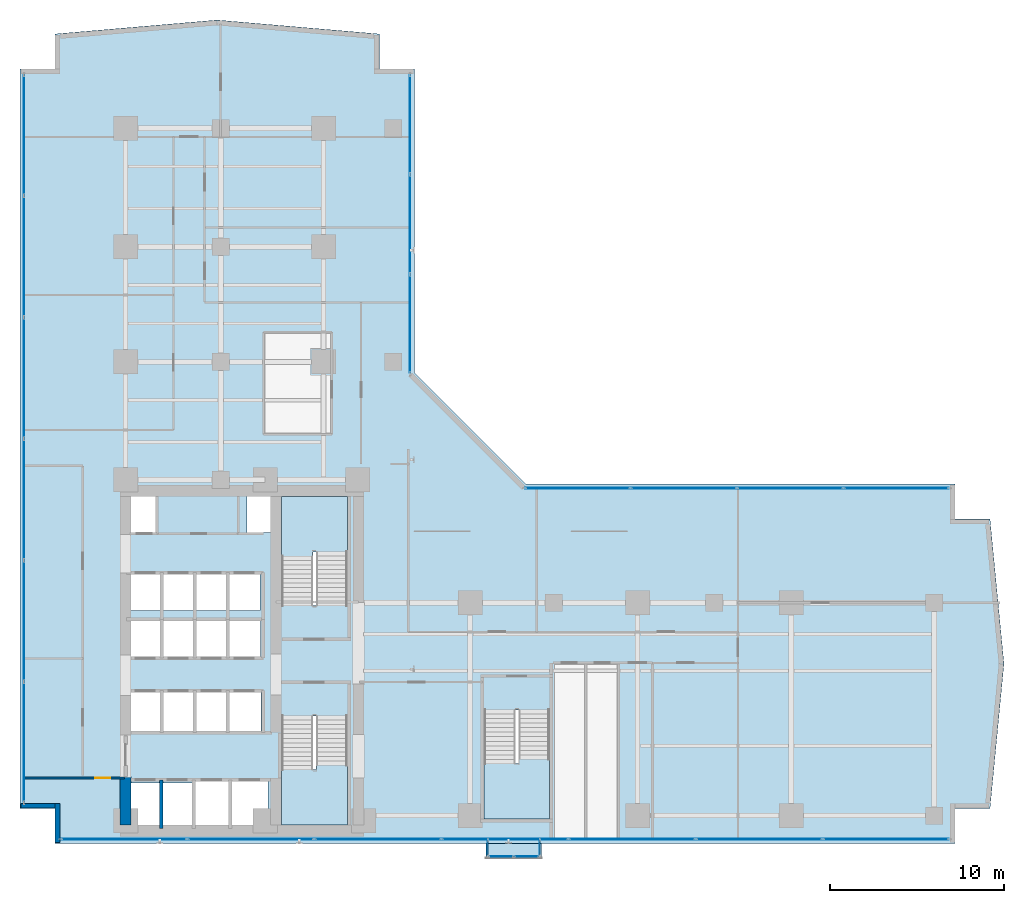
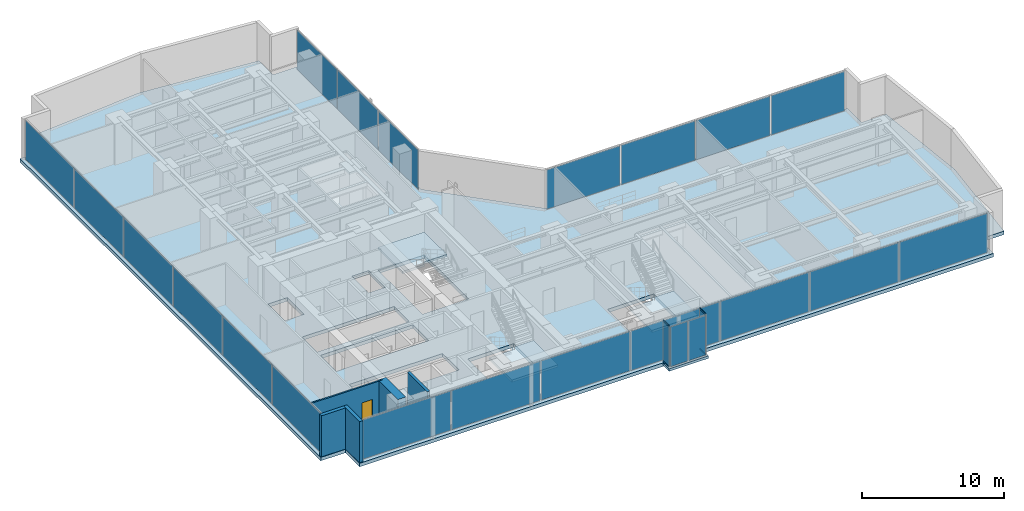
# One storey, part 18 of 26: 24 plates, 5 slabs, 5 walls, 4 members, 1 door, 1 opening, 10 elements without a shape of their own.
"""IFC4 building model written with IfcOpenShell, lengths in metres."""

import ifcopenshell
import ifcopenshell.guid

model = None  # the IFC model being written
_history = None  # IfcOwnerHistory: only IFC2X3 demands one
_inside = {}  # id of a spatial element -> (the spatial element, [elements in it])
_under = {}  # id of a project, library or spatial element -> (it, [spatial elements below it])
_declared = {}  # id of a project -> (the project, [libraries it declares])
_typed = {}  # id of a type object -> (the type object, [elements of that type])
_made_of = {}  # id of a material, layer set ... -> (it, [elements and type objects made of it])


def new_model(schema):
    """Start an empty IFC model of exactly this schema.

    Asked for "IFC4X3", IfcOpenShell would pick the latest addendum, in which some entities
    have other attributes; the version numbers below select the first issue.
    IFC2X3 requires an IfcOwnerHistory on every rooted entity: one is made here for all.
    """
    global model, _history
    if schema == "IFC4X3":
        model = ifcopenshell.file(schema_version=(4, 3, 0, 0))
    else:
        model = ifcopenshell.file(schema=schema)
    _inside.clear()
    _under.clear()
    _declared.clear()
    _typed.clear()
    _made_of.clear()
    _history = None
    if model.schema == "IFC2X3":
        org = make("IfcOrganization", Name="unknown")
        user = make(
            "IfcPersonAndOrganization",
            ThePerson=make("IfcPerson", FamilyName="unknown"),
            TheOrganization=org,
        )
        app = make(
            "IfcApplication",
            ApplicationDeveloper=org,
            Version="unknown",
            ApplicationFullName="unknown",
            ApplicationIdentifier="unknown",
        )
        _history = make(
            "IfcOwnerHistory",
            OwningUser=user,
            OwningApplication=app,
            ChangeAction="ADDED",
            CreationDate=0,
        )
    return model


def make(cls, **values):
    """One entity of the class cls with the attributes given. An attribute that is None is left unset."""
    return model.create_entity(
        cls, **{name: value for name, value in values.items() if value is not None}
    )


def rooted(cls, **values):
    """An entity with a GlobalId (a new one), such as an element, a storey or a relation."""
    return make(cls, GlobalId=ifcopenshell.guid.new(), OwnerHistory=_history, **values)


def si_unit(unit_type, name, prefix=None):
    """IfcSIUnit, for example si_unit("LENGTHUNIT", "METRE", prefix="MILLI")."""
    return make("IfcSIUnit", UnitType=unit_type, Prefix=prefix, Name=name)


def assignment(units):
    """IfcUnitAssignment: the units of a project."""
    return None if units is None else make("IfcUnitAssignment", Units=units)


def point(xyz):
    """IfcCartesianPoint."""
    return None if xyz is None else make("IfcCartesianPoint", Coordinates=xyz)


def direction(xyz):
    """IfcDirection."""
    return None if xyz is None else make("IfcDirection", DirectionRatios=xyz)


def frame(location, z_axis=None, x_axis=None):
    """IfcAxis2Placement3D, a coordinate frame: its origin and axes. An axis left out is left unset."""
    return make(
        "IfcAxis2Placement3D",
        Location=point(location),
        Axis=direction(z_axis),
        RefDirection=direction(x_axis),
    )


def frame_2d(location, x_axis=None):
    """IfcAxis2Placement2D, a coordinate frame in the plane: its origin and x axis."""
    return make(
        "IfcAxis2Placement2D", Location=point(location), RefDirection=direction(x_axis)
    )


def origin():
    """The frame at (0, 0, 0) with its axes left unset."""
    return frame((0.0, 0.0, 0.0))


def origin_with_axes():
    """The frame at (0, 0, 0) with the z axis (0, 0, 1) and the x axis (1, 0, 0) written out."""
    return frame((0.0, 0.0, 0.0), z_axis=(0.0, 0.0, 1.0), x_axis=(1.0, 0.0, 0.0))


def origin_2d():
    """The frame at (0, 0) in the plane with its x axis left unset."""
    return frame_2d((0.0, 0.0))


def place(relative_to, where):
    """IfcLocalPlacement: puts the frame where relative to a parent placement (None: the world)."""
    return make(
        "IfcLocalPlacement", PlacementRelTo=relative_to, RelativePlacement=where
    )


def context(
    kind, dimensions, precision=None, world=None, true_north=None, identifier=None
):
    """IfcGeometricRepresentationContext, for example the 3D "Model" context."""
    return make(
        "IfcGeometricRepresentationContext",
        ContextIdentifier=identifier,
        ContextType=kind,
        CoordinateSpaceDimension=dimensions,
        Precision=precision,
        WorldCoordinateSystem=world,
        TrueNorth=true_north,
    )


def subcontext(parent, identifier, kind, view, scale=None):
    """IfcGeometricRepresentationSubContext, for example "Body" below "Model"."""
    return make(
        "IfcGeometricRepresentationSubContext",
        ContextIdentifier=identifier,
        ContextType=kind,
        ParentContext=parent,
        TargetScale=scale,
        TargetView=view,
    )


def project(units=None, contexts=None):
    """IfcProject with its units and contexts."""
    return rooted(
        "IfcProject",
        Name="project",
        RepresentationContexts=contexts,
        UnitsInContext=assignment(units),
    )


def spatial(cls, under=None, at=None, **own):
    """A site, building, storey or space (cls), placed at a placement, below another one or the project."""
    s = rooted(cls, ObjectPlacement=at, **own)
    if under is not None:
        _under.setdefault(under.id(), (under, []))[1].append(s)
    return s


def polyline(points):
    """IfcPolyline through the points."""
    return make("IfcPolyline", Points=[point(p) for p in points])


def profile(cls, at=None, kind="AREA", **sizes):
    """A parametric profile (cls). Its sizes go by their IFC names, for example OverallWidth=200.0."""
    return make(cls, ProfileType=kind, Position=at, **sizes)


def rectangle(**sizes):
    """IfcRectangleProfileDef."""
    return profile("IfcRectangleProfileDef", **sizes)


def hollow_rectangle(**sizes):
    """IfcRectangleHollowProfileDef."""
    return profile("IfcRectangleHollowProfileDef", **sizes)


def outline(outer, holes=None, kind="AREA"):
    """IfcArbitraryClosedProfileDef: a profile drawn as a closed curve; with holes, ...WithVoids."""
    if holes is None:
        return make("IfcArbitraryClosedProfileDef", ProfileType=kind, OuterCurve=outer)
    return make(
        "IfcArbitraryProfileDefWithVoids",
        ProfileType=kind,
        OuterCurve=outer,
        InnerCurves=holes,
    )


def extrude(swept, where, along, depth):
    """IfcExtrudedAreaSolid: the profile swept, set in the frame where, extruded along a direction by depth."""
    return make(
        "IfcExtrudedAreaSolid",
        SweptArea=swept,
        Position=where,
        ExtrudedDirection=direction(along),
        Depth=depth,
    )


def shape(context_of_items, identifier, shape_type, items):
    """IfcShapeRepresentation: the items that make up one representation, for example the "Body"."""
    return make(
        "IfcShapeRepresentation",
        ContextOfItems=context_of_items,
        RepresentationIdentifier=identifier,
        RepresentationType=shape_type,
        Items=items,
    )


def source(mapping_origin, context_of_items, identifier, shape_type, items):
    """IfcRepresentationMap: a shape defined once, which mapped items show again and again."""
    return make(
        "IfcRepresentationMap",
        MappingOrigin=mapping_origin,
        MappedRepresentation=shape(context_of_items, identifier, shape_type, items),
    )


def transform(
    local_origin,
    x_axis=None,
    y_axis=None,
    z_axis=None,
    scale=None,
    scale2=None,
    scale3=None,
    uniform=True,
):
    """IfcCartesianTransformationOperator3D, or its non-uniform kind. x_axis, y_axis, z_axis: its Axis1, 2, 3."""
    if uniform:
        return make(
            "IfcCartesianTransformationOperator3D",
            Axis1=direction(x_axis),
            Axis2=direction(y_axis),
            LocalOrigin=point(local_origin),
            Scale=scale,
            Axis3=direction(z_axis),
        )
    return make(
        "IfcCartesianTransformationOperator3DnonUniform",
        Axis1=direction(x_axis),
        Axis2=direction(y_axis),
        LocalOrigin=point(local_origin),
        Scale=scale,
        Axis3=direction(z_axis),
        Scale2=scale2,
        Scale3=scale3,
    )


def mapped(mapping_source, mapping_target):
    """IfcMappedItem: shows the shape of a source again, moved by a transform."""
    return make(
        "IfcMappedItem", MappingSource=mapping_source, MappingTarget=mapping_target
    )


def material(Name=None, Category=None):
    """IfcMaterial."""
    return make("IfcMaterial", Name=Name, Category=Category)


def layer(
    of_material, thickness, ventilated=None, Name=None, Category=None, Priority=None
):
    """IfcMaterialLayer: one layer of a wall or slab, of a material (None: an air gap)."""
    return make(
        "IfcMaterialLayer",
        Material=of_material,
        LayerThickness=thickness,
        IsVentilated=ventilated,
        Name=Name,
        Category=Category,
        Priority=Priority,
    )


def layer_set(layers, Name=None):
    """IfcMaterialLayerSet."""
    return make("IfcMaterialLayerSet", MaterialLayers=layers, LayerSetName=Name)


def material_profile(
    of_material, cross_section, Name=None, Category=None, Priority=None
):
    """IfcMaterialProfile: a cross section and its material."""
    return make(
        "IfcMaterialProfile",
        Name=Name,
        Material=of_material,
        Profile=cross_section,
        Priority=Priority,
        Category=Category,
    )


def profile_set(profiles, Name=None, composite=None):
    """IfcMaterialProfileSet."""
    return make(
        "IfcMaterialProfileSet",
        Name=Name,
        MaterialProfiles=profiles,
        CompositeProfile=composite,
    )


def made_of(thing, what):
    """Note that an element or type object is made of a material, layer set ...; save() writes the relation."""
    if what is not None:
        _made_of.setdefault(what.id(), (what, []))[1].append(thing)
    return thing


def type_object(cls, material=None, **own):
    """A type object (cls), such as IfcWallType, which elements share."""
    return made_of(rooted(cls, **own), material)


def element(
    cls,
    number,
    at=None,
    inside=None,
    cuts=None,
    type_object=None,
    material=None,
    context=None,
    identifier="Body",
    shape_type=None,
    held_by="IfcProductDefinitionShape",
    body=None,
    shapes=None,
    **own,
):
    """One element of the class cls, such as IfcWall. Its Tag is "e" and its number.

    at: its placement. inside: the storey or other place that contains it. cuts: it is an
    opening in that element (IfcRelVoidsElement). A single representation is given by context,
    identifier, shape_type and body (its items); several are given by shapes. held_by: the class
    of the entity that holds the representations. save() writes the other relations.
    """
    e = rooted(cls, Tag="e%d" % number, ObjectPlacement=at, **own)
    if body is not None:
        shapes = [shape(context, identifier, shape_type, body)]
    if shapes is not None:
        e.Representation = make(held_by, Representations=shapes)
    if inside is not None:
        _inside.setdefault(inside.id(), (inside, []))[1].append(e)
    if cuts is not None:
        rooted(
            "IfcRelVoidsElement", RelatingBuildingElement=cuts, RelatedOpeningElement=e
        )
    if type_object is not None:
        _typed.setdefault(type_object.id(), (type_object, []))[1].append(e)
    return made_of(e, material)


def fill(opening, filler):
    """IfcRelFillsElement: the door or window that sits in an opening."""
    return rooted(
        "IfcRelFillsElement",
        RelatingOpeningElement=opening,
        RelatedBuildingElement=filler,
    )


def aggregate(whole, parts):
    """IfcRelAggregates: a whole, such as a stair, and the parts it consists of."""
    return rooted("IfcRelAggregates", RelatingObject=whole, RelatedObjects=parts)


def save(model, path):
    """Write the relations noted so far, then the file.

    IfcRelAggregates (storeys below a building ...), IfcRelContainedInSpatialStructure (elements
    in a storey), IfcRelDefinesByType, IfcRelAssociatesMaterial and IfcRelDeclares: one each for
    every whole, place, type object, material and project.
    """
    for whole, parts in _under.values():
        aggregate(whole, parts)
    for where, things in _inside.values():
        rooted(
            "IfcRelContainedInSpatialStructure",
            RelatedElements=things,
            RelatingStructure=where,
        )
    for kind, things in _typed.values():
        rooted("IfcRelDefinesByType", RelatedObjects=things, RelatingType=kind)
    for what, things in _made_of.values():
        rooted("IfcRelAssociatesMaterial", RelatedObjects=things, RelatingMaterial=what)
    for by, libraries in _declared.values():
        rooted("IfcRelDeclares", RelatingContext=by, RelatedDefinitions=libraries)
    model.write(path)


model = new_model("IFC4")

# Units and contexts
model_context = context("Model", 3, precision=1e-05, world=origin(), true_north=direction((0.0, 1.0)))
body_context = subcontext(model_context, "Body", "Model", "MODEL_VIEW")
ifc_project = project(units=[si_unit("LENGTHUNIT", "METRE"), si_unit("AREAUNIT", "SQUARE_METRE"), si_unit("VOLUMEUNIT", "CUBIC_METRE"), si_unit("PLANEANGLEUNIT", "RADIAN"), si_unit("MASSUNIT", "GRAM", prefix="KILO")], contexts=[model_context])

# Site, building, storey
site_placement = place(None, origin())
site = spatial("IfcSite", under=ifc_project, at=site_placement, CompositionType="ELEMENT")
building_placement = place(site_placement, origin())
building = spatial("IfcBuilding", under=site, at=building_placement, Name="Kolvaren Waterfront Exchange", CompositionType="ELEMENT")
storey_placement = place(building_placement, frame((0.0, 0.0, 110.699951171875)))
storey = spatial("IfcBuildingStorey", under=building, at=storey_placement, Name="L28", CompositionType="ELEMENT", Elevation=110.699951171875)

# Curtain wall, members
ifc_material_1 = material(Name="Anodised bronze aluminium 6063-T6", Category="aluminium")
ifc_layer_1 = layer(ifc_material_1, 0.219970703125, Name="Anodised bronze aluminium 6063-T6")
ifc_layer_set_1 = layer_set([ifc_layer_1], Name="Anodised bronze aluminium 6063-T6")
curtain_wall_type_1 = type_object("IfcCurtainWallType", Name="ARC-CW-SYS3", PredefinedType="USERDEFINED", material=ifc_layer_set_1)
curtain_wall_1_placement = place(storey_placement, origin())
curtain_wall_1 = element("IfcCurtainWall", 1, at=curtain_wall_1_placement, inside=storey, type_object=curtain_wall_type_1, Name="L28 stick curtain wall CW3 (CW-L28-BOX-W)", ObjectType="STICK CURTAIN WALL", PredefinedType="USERDEFINED")
ifc_material_profile = material_profile(ifc_material_1, hollow_rectangle(XDim=0.06494140625, YDim=0.1298828125, WallThickness=0.00390625, at=origin_2d()), Name="ALU-TRN-130x65x4")
ifc_profile_set = profile_set([ifc_material_profile], Name="Anodised bronze aluminium 6063-T6")
member_type = type_object("IfcMemberType", Name="ARC-CWT-130", PredefinedType="USERDEFINED", material=ifc_profile_set)
shared_shape_1 = source(origin_with_axes(), body_context, "Body", "SweptSolid", [
    extrude(hollow_rectangle(XDim=0.06494140625, YDim=0.1298828125, WallThickness=0.00390625, at=origin_2d()), origin(), (0.0, 0.0, 1.0), 0.829833984375),
])
member_1_placement = place(storey_placement, frame((28.2099609375, 3.764892578125, 0.032470703125), z_axis=(0.0, -1.0, 0.0), x_axis=(1.0, 0.0, 0.0)))
member_1 = element("IfcMember", 2, at=member_1_placement, type_object=member_type, Name="CW3 transom 1.1", ObjectType="TRANSOM", PredefinedType="USERDEFINED", context=body_context, shape_type="MappedRepresentation", body=[
    mapped(shared_shape_1, transform((0.0, 0.0, 0.0), x_axis=(1.0, 0.0, 0.0), y_axis=(0.0, 1.0, 0.0), z_axis=(0.0, 0.0, 1.0), scale=1.0)),
])
member_2_placement = place(storey_placement, frame((28.2099609375, 3.764892578125, 3.507568359375), z_axis=(0.0, -1.0, 0.0), x_axis=(1.0, 0.0, 0.0)))
member_2 = element("IfcMember", 3, at=member_2_placement, type_object=member_type, Name="CW3 transom 1.2", ObjectType="TRANSOM", PredefinedType="USERDEFINED", context=body_context, shape_type="MappedRepresentation", body=[
    mapped(shared_shape_1, transform((0.0, 0.0, 0.0), x_axis=(1.0, 0.0, 0.0), y_axis=(0.0, 1.0, 0.0), z_axis=(0.0, 0.0, 1.0), scale=1.0)),
])

curtain_wall_2_placement = place(storey_placement, origin())
curtain_wall_2 = element("IfcCurtainWall", 4, at=curtain_wall_2_placement, inside=storey, type_object=curtain_wall_type_1, Name="L28 stick curtain wall CW3 (CW-L28-BOX-E)", ObjectType="STICK CURTAIN WALL", PredefinedType="USERDEFINED")
member_3_placement = place(storey_placement, frame((31.18994140625, 2.93505859375, 0.032470703125), z_axis=(0.0, 1.0, 0.0), x_axis=(-1.0, 0.0, 0.0)))
member_3 = element("IfcMember", 5, at=member_3_placement, type_object=member_type, Name="CW3 transom 1.1", ObjectType="TRANSOM", PredefinedType="USERDEFINED", context=body_context, shape_type="MappedRepresentation", body=[
    mapped(shared_shape_1, transform((0.0, 0.0, 0.0), x_axis=(1.0, 0.0, 0.0), y_axis=(0.0, 1.0, 0.0), z_axis=(0.0, 0.0, 1.0), scale=1.0)),
])
member_4_placement = place(storey_placement, frame((31.18994140625, 2.93505859375, 3.507568359375), z_axis=(0.0, 1.0, 0.0), x_axis=(-1.0, 0.0, 0.0)))
member_4 = element("IfcMember", 6, at=member_4_placement, type_object=member_type, Name="CW3 transom 1.2", ObjectType="TRANSOM", PredefinedType="USERDEFINED", context=body_context, shape_type="MappedRepresentation", body=[
    mapped(shared_shape_1, transform((0.0, 0.0, 0.0), x_axis=(1.0, 0.0, 0.0), y_axis=(0.0, 1.0, 0.0), z_axis=(0.0, 0.0, 1.0), scale=1.0)),
])

# Stair, slab
ifc_material_2 = material(Name="Concrete C40/50", Category="concrete")
stair_type = type_object("IfcStairType", Name="ARC-STAIR-3800", PredefinedType="HALF_TURN_STAIR", material=ifc_material_2)
stair_1_placement = place(storey_placement, origin())
stair_1 = element("IfcStair", 7, at=stair_1_placement, inside=storey, type_object=stair_type, Name="L28 Smoke-proof exit stair ST1", PredefinedType="HALF_TURN_STAIR")
ifc_layer_2 = layer(ifc_material_2, 0.199951171875, Name="Concrete C40/50")
ifc_layer_set_2 = layer_set([ifc_layer_2], Name="Concrete C40/50")
slab_type_1 = type_object("IfcSlabType", Name="STR-LANDING-200", PredefinedType="LANDING", material=ifc_layer_set_2)
slab_1_placement = place(storey_placement, frame((0.0, 0.0, 1.776123046875)))
slab_1 = element("IfcSlab", 8, at=slab_1_placement, type_object=slab_type_1, Name="ST1 landing 1", PredefinedType="LANDING", context=body_context, shape_type="SweptSolid", body=[
    extrude(outline(polyline([(16.39990234375, 7.840087890625), (16.39990234375, 4.64990234375), (20.159912109375, 4.64990234375), (20.159912109375, 8.10009765625), (18.360107421875, 8.10009765625), (18.360107421875, 7.840087890625), (16.39990234375, 7.840087890625)])), origin(), (0.0, 0.0, 1.0), 0.199951171875),
])
aggregate(stair_1, [slab_1])

stair_2_placement = place(storey_placement, origin())
stair_2 = element("IfcStair", 9, at=stair_2_placement, inside=storey, type_object=stair_type, Name="L28 Smoke-proof exit stair ST2", PredefinedType="HALF_TURN_STAIR")
slab_2_placement = place(storey_placement, frame((0.0, 0.0, 1.776123046875)))
slab_2 = element("IfcSlab", 10, at=slab_2_placement, type_object=slab_type_1, Name="ST2 landing 1", PredefinedType="LANDING", context=body_context, shape_type="SweptSolid", body=[
    extrude(outline(polyline([(20.159912109375, 20.31005859375), (20.159912109375, 23.5), (16.39990234375, 23.5), (16.39990234375, 20.050048828125), (18.199951171875, 20.050048828125), (18.199951171875, 20.31005859375), (20.159912109375, 20.31005859375)])), origin(), (0.0, 0.0, 1.0), 0.199951171875),
])
aggregate(stair_2, [slab_2])

stair_3_placement = place(storey_placement, origin())
stair_3 = element("IfcStair", 11, at=stair_3_placement, inside=storey, type_object=stair_type, Name="L28 Exit stair ST3", PredefinedType="HALF_TURN_STAIR")
slab_3_placement = place(storey_placement, frame((0.0, 0.0, 1.776123046875)))
slab_3 = element("IfcSlab", 12, at=slab_3_placement, type_object=slab_type_1, Name="ST3 landing 1", PredefinedType="LANDING", context=body_context, shape_type="SweptSolid", body=[
    extrude(outline(polyline([(28.0, 8.18994140625), (28.0, 5.0), (31.760009765625, 5.0), (31.760009765625, 8.449951171875), (29.9599609375, 8.449951171875), (29.9599609375, 8.18994140625), (28.0, 8.18994140625)])), origin(), (0.0, 0.0, 1.0), 0.199951171875),
])
aggregate(stair_3, [slab_3])

# Slabs
ifc_layer_3 = layer(ifc_material_2, 0.300048828125, Name="Concrete C40/50")
ifc_layer_set_3 = layer_set([ifc_layer_3], Name="Concrete C40/50")
slab_type_2 = type_object("IfcSlabType", Name="STR-SLAB-300", PredefinedType="FLOOR", material=ifc_layer_set_3)
slab_4_placement = place(storey_placement, frame((0.0, 0.0, -0.300048828125)))
element("IfcSlab", 13, at=slab_4_placement, inside=storey, type_object=slab_type_2, Name="L28 structural floor slab", PredefinedType="FLOOR", context=body_context, shape_type="SweptSolid", body=[
    extrude(outline(polyline([(3.39990234375, 3.60009765625), (55.0, 3.60009765625), (55.0, 5.60009765625), (57.0, 5.60009765625), (57.800048828125, 13.89990234375), (57.0, 22.199951171875), (55.0, 22.199951171875), (55.0, 24.199951171875), (30.39990234375, 24.199951171875), (24.0, 30.60009765625), (24.0, 48.0), (22.0, 48.0), (22.0, 50.0), (12.699951171875, 50.800048828125), (3.39990234375, 50.0), (3.39990234375, 48.0), (1.39990234375, 48.0), (1.39990234375, 5.60009765625), (3.39990234375, 5.60009765625), (3.39990234375, 3.60009765625)]), holes=[polyline([(11.320068359375, 7.260009765625), (15.610107421875, 7.260009765625), (15.610107421875, 4.5400390625), (7.719970703125, 4.5400390625), (7.719970703125, 7.06005859375), (11.320068359375, 7.06005859375), (11.320068359375, 7.260009765625)]), polyline([(20.159912109375, 4.64990234375), (16.39990234375, 4.64990234375), (16.39990234375, 10.89990234375), (20.159912109375, 10.89990234375), (20.159912109375, 4.64990234375)]), polyline([(31.760009765625, 5.0), (28.0, 5.0), (28.0, 11.25), (31.760009765625, 11.25), (31.760009765625, 5.0)]), polyline([(15.2099609375, 10.0400390625), (7.6201171875, 10.0400390625), (7.6201171875, 12.360107421875), (15.2099609375, 12.360107421875), (15.2099609375, 10.0400390625)]), polyline([(7.64501953125, 16.4599609375), (15.18505859375, 16.4599609375), (15.18505859375, 14.239990234375), (7.64501953125, 14.239990234375), (7.64501953125, 16.4599609375)]), polyline([(15.159912109375, 16.93994140625), (7.669921875, 16.93994140625), (7.669921875, 19.06005859375), (15.159912109375, 19.06005859375), (15.159912109375, 16.93994140625)]), polyline([(16.39990234375, 23.5), (20.159912109375, 23.5), (20.159912109375, 17.25), (16.39990234375, 17.25), (16.39990234375, 23.5)]), polyline([(7.60009765625, 23.780029296875), (9.179931640625, 23.780029296875), (9.179931640625, 21.419921875), (7.60009765625, 21.419921875), (7.60009765625, 23.780029296875)]), polyline([(15.800048828125, 23.780029296875), (15.800048828125, 21.419921875), (14.419921875, 21.419921875), (14.419921875, 23.780029296875), (15.800048828125, 23.780029296875)])]), origin(), (0.0, 0.0, 1.0), 0.300048828125),
])
ifc_layer_4 = layer(ifc_material_2, 0.219970703125, Name="Concrete C40/50")
ifc_layer_set_4 = layer_set([ifc_layer_4], Name="Concrete C40/50")
slab_type_3 = type_object("IfcSlabType", Name="STR-TERR-220", PredefinedType="FLOOR", material=ifc_layer_set_4)
slab_5_placement = place(storey_placement, frame((0.0, 0.0, -0.219970703125)))
element("IfcSlab", 14, at=slab_5_placement, inside=storey, type_object=slab_type_3, Name="L28 projecting bay-box floor strip", PredefinedType="FLOOR", context=body_context, shape_type="SweptSolid", body=[
    extrude(outline(polyline([(28.10009765625, 2.75), (31.300048828125, 2.75), (31.300048828125, 3.60009765625), (28.10009765625, 3.60009765625), (28.10009765625, 2.75)])), origin(), (0.0, 0.0, 1.0), 0.219970703125),
])

# Plate
ifc_material_3 = material(Name="Bronze tinted bay-box vision glass", Category="aluminium")
ifc_layer_5 = layer(ifc_material_3, 0.02392578125, Name="Bronze tinted bay-box vision glass")
ifc_layer_set_5 = layer_set([ifc_layer_5], Name="Bronze tinted bay-box vision glass")
plate_type_1 = type_object("IfcPlateType", Name="ARC-CWP-24", PredefinedType="CURTAIN_PANEL", material=ifc_layer_set_5)
shared_shape_2 = source(origin_with_axes(), body_context, "Body", "SweptSolid", [
    extrude(rectangle(XDim=0.830078125, YDim=0.02392578125, at=origin_2d()), origin(), (0.0, 0.0, 1.0), 3.409912109375),
])
plate_1_placement = place(storey_placement, frame((28.2099609375, 3.35009765625, 0.06494140625), z_axis=(0.0, 0.0, 1.0), x_axis=(0.0, -1.0, 0.0)))
plate_1 = element("IfcPlate", 15, at=plate_1_placement, type_object=plate_type_1, Name="CW3 panel 1.1", PredefinedType="CURTAIN_PANEL", context=body_context, shape_type="MappedRepresentation", body=[
    mapped(shared_shape_2, transform((0.0, 0.0, 0.0), x_axis=(1.0, 0.0, 0.0), y_axis=(0.0, 1.0, 0.0), z_axis=(0.0, 0.0, 1.0), scale=1.0)),
])

aggregate(curtain_wall_1, [member_1, member_2, plate_1])

plate_2_placement = place(storey_placement, frame((31.18994140625, 3.35009765625, 0.06494140625), z_axis=(0.0, 0.0, 1.0), x_axis=(0.0, 1.0, 0.0)))
plate_2 = element("IfcPlate", 16, at=plate_2_placement, type_object=plate_type_1, Name="CW3 panel 1.1", PredefinedType="CURTAIN_PANEL", context=body_context, shape_type="MappedRepresentation", body=[
    mapped(shared_shape_2, transform((0.0, 0.0, 0.0), x_axis=(1.0, 0.0, 0.0), y_axis=(0.0, 1.0, 0.0), z_axis=(0.0, 0.0, 1.0), scale=1.0)),
])

aggregate(curtain_wall_2, [member_3, member_4, plate_2])

# Curtain wall, plates
curtain_wall_3_placement = place(storey_placement, origin())
curtain_wall_3 = element("IfcCurtainWall", 17, at=curtain_wall_3_placement, inside=storey, type_object=curtain_wall_type_1, Name="L28 stick curtain wall CW3 (CW-L28-BOX)", ObjectType="STICK CURTAIN WALL", PredefinedType="USERDEFINED")
shared_shape_3 = source(origin_with_axes(), body_context, "Body", "SweptSolid", [
    extrude(rectangle(XDim=1.37744140625, YDim=0.02392578125, at=origin_2d()), origin(), (0.0, 0.0, 1.0), 3.409912109375),
])
plate_3_placement = place(storey_placement, frame((28.9736328125, 2.860107421875, 0.06494140625), z_axis=(0.0, 0.0, 1.0), x_axis=(1.0, 0.0, 0.0)))
plate_3 = element("IfcPlate", 18, at=plate_3_placement, type_object=plate_type_1, Name="CW3 panel 1.1", PredefinedType="CURTAIN_PANEL", context=body_context, shape_type="MappedRepresentation", body=[
    mapped(shared_shape_3, transform((0.0, 0.0, 0.0), x_axis=(1.0, 0.0, 0.0), y_axis=(0.0, 1.0, 0.0), z_axis=(0.0, 0.0, 1.0), scale=1.0)),
])
plate_4_placement = place(storey_placement, frame((30.42626953125, 2.860107421875, 0.06494140625), z_axis=(0.0, 0.0, 1.0), x_axis=(1.0, 0.0, 0.0)))
plate_4 = element("IfcPlate", 19, at=plate_4_placement, type_object=plate_type_1, Name="CW3 panel 2.1", PredefinedType="CURTAIN_PANEL", context=body_context, shape_type="MappedRepresentation", body=[
    mapped(shared_shape_3, transform((0.0, 0.0, 0.0), x_axis=(1.0, 0.0, 0.0), y_axis=(0.0, 1.0, 0.0), z_axis=(0.0, 0.0, 1.0), scale=1.0)),
])
aggregate(curtain_wall_3, [plate_3, plate_4])

ifc_material_4 = material(Name="Anodised aluminium 6063-T6", Category="aluminium")
ifc_layer_6 = layer(ifc_material_4, 0.219970703125, Name="Anodised aluminium 6063-T6")
ifc_layer_set_6 = layer_set([ifc_layer_6], Name="Anodised aluminium 6063-T6")
curtain_wall_type_2 = type_object("IfcCurtainWallType", Name="ARC-CW-SYS2", PredefinedType="USERDEFINED", material=ifc_layer_set_6)
curtain_wall_4_placement = place(storey_placement, origin())
curtain_wall_4 = element("IfcCurtainWall", 20, at=curtain_wall_4_placement, inside=storey, type_object=curtain_wall_type_2, Name="L28 stick curtain wall CW2 (CW-L28-W)", ObjectType="STICK CURTAIN WALL", PredefinedType="USERDEFINED")
ifc_material_5 = material(Name="Acoustic laminated vision glass", Category="glass")
ifc_layer_7 = layer(ifc_material_5, 0.031982421875, Name="Acoustic laminated vision glass")
ifc_layer_set_7 = layer_set([ifc_layer_7], Name="Acoustic laminated vision glass")
plate_type_2 = type_object("IfcPlateType", Name="ARC-CWP-32", PredefinedType="CURTAIN_PANEL", material=ifc_layer_set_7)
shared_shape_4 = source(origin_with_axes(), body_context, "Body", "SweptSolid", [
    extrude(rectangle(XDim=6.8466796875, YDim=0.031982421875, at=origin_2d()), origin(), (0.0, 0.0, 1.0), 3.389892578125),
])
plate_5_placement = place(storey_placement, frame((1.639892578125, 9.4033203125, 0.0751953125), z_axis=(0.0, 0.0, 1.0), x_axis=(0.0, 1.0, 0.0)))
plate_5 = element("IfcPlate", 21, at=plate_5_placement, type_object=plate_type_2, Name="CW2 panel 1.1", PredefinedType="CURTAIN_PANEL", context=body_context, shape_type="MappedRepresentation", body=[
    mapped(shared_shape_4, transform((0.0, 0.0, 0.0), x_axis=(1.0, 0.0, 0.0), y_axis=(0.0, 1.0, 0.0), z_axis=(0.0, 0.0, 1.0), scale=1.0)),
])
plate_6_placement = place(storey_placement, frame((1.639892578125, 44.19677734375, 0.0751953125), z_axis=(0.0, 0.0, 1.0), x_axis=(0.0, 1.0, 0.0)))
plate_6 = element("IfcPlate", 22, at=plate_6_placement, type_object=plate_type_2, Name="CW2 panel 6.1", PredefinedType="CURTAIN_PANEL", context=body_context, shape_type="MappedRepresentation", body=[
    mapped(shared_shape_4, transform((0.0, 0.0, 0.0), x_axis=(1.0, 0.0, 0.0), y_axis=(0.0, 1.0, 0.0), z_axis=(0.0, 0.0, 1.0), scale=1.0)),
])
shared_shape_5 = source(origin_with_axes(), body_context, "Body", "SweptSolid", [
    extrude(rectangle(XDim=6.88671875, YDim=0.031982421875, at=origin_2d()), origin(), (0.0, 0.0, 1.0), 3.389892578125),
])
plate_7_placement = place(storey_placement, frame((1.639892578125, 16.35009765625, 0.0751953125), z_axis=(0.0, 0.0, 1.0), x_axis=(0.0, 1.0, 0.0)))
plate_7 = element("IfcPlate", 23, at=plate_7_placement, type_object=plate_type_2, Name="CW2 panel 2.1", PredefinedType="CURTAIN_PANEL", context=body_context, shape_type="MappedRepresentation", body=[
    mapped(shared_shape_5, transform((0.0, 0.0, 0.0), x_axis=(1.0, 0.0, 0.0), y_axis=(0.0, 1.0, 0.0), z_axis=(0.0, 0.0, 1.0), scale=1.0)),
])
plate_8_placement = place(storey_placement, frame((1.639892578125, 23.316650390625, 0.0751953125), z_axis=(0.0, 0.0, 1.0), x_axis=(0.0, 1.0, 0.0)))
plate_8 = element("IfcPlate", 24, at=plate_8_placement, type_object=plate_type_2, Name="CW2 panel 3.1", PredefinedType="CURTAIN_PANEL", context=body_context, shape_type="MappedRepresentation", body=[
    mapped(shared_shape_5, transform((0.0, 0.0, 0.0), x_axis=(1.0, 0.0, 0.0), y_axis=(0.0, 1.0, 0.0), z_axis=(0.0, 0.0, 1.0), scale=1.0)),
])
plate_9_placement = place(storey_placement, frame((1.639892578125, 30.283447265625, 0.0751953125), z_axis=(0.0, 0.0, 1.0), x_axis=(0.0, 1.0, 0.0)))
plate_9 = element("IfcPlate", 25, at=plate_9_placement, type_object=plate_type_2, Name="CW2 panel 4.1", PredefinedType="CURTAIN_PANEL", context=body_context, shape_type="MappedRepresentation", body=[
    mapped(shared_shape_5, transform((0.0, 0.0, 0.0), x_axis=(1.0, 0.0, 0.0), y_axis=(0.0, 1.0, 0.0), z_axis=(0.0, 0.0, 1.0), scale=1.0)),
])
plate_10_placement = place(storey_placement, frame((1.639892578125, 37.25, 0.0751953125), z_axis=(0.0, 0.0, 1.0), x_axis=(0.0, 1.0, 0.0)))
plate_10 = element("IfcPlate", 26, at=plate_10_placement, type_object=plate_type_2, Name="CW2 panel 5.1", PredefinedType="CURTAIN_PANEL", context=body_context, shape_type="MappedRepresentation", body=[
    mapped(shared_shape_5, transform((0.0, 0.0, 0.0), x_axis=(1.0, 0.0, 0.0), y_axis=(0.0, 1.0, 0.0), z_axis=(0.0, 0.0, 1.0), scale=1.0)),
])
aggregate(curtain_wall_4, [plate_5, plate_7, plate_8, plate_9, plate_10, plate_6])

ifc_layer_8 = layer(ifc_material_1, 0.219970703125, Name="Anodised bronze aluminium 6063-T6")
ifc_layer_set_8 = layer_set([ifc_layer_8], Name="Anodised bronze aluminium 6063-T6")
curtain_wall_type_3 = type_object("IfcCurtainWallType", Name="ARC-CW-SYS4", PredefinedType="USERDEFINED", material=ifc_layer_set_8)
curtain_wall_5_placement = place(storey_placement, origin())
curtain_wall_5 = element("IfcCurtainWall", 27, at=curtain_wall_5_placement, inside=storey, type_object=curtain_wall_type_3, Name="L28 stick curtain wall CW4 (CW-L28-S)", ObjectType="STICK CURTAIN WALL", PredefinedType="USERDEFINED")
ifc_material_6 = material(Name="High-span laminated vision glass", Category="glass")
ifc_layer_9 = layer(ifc_material_6, 0.035888671875, Name="High-span laminated vision glass")
ifc_layer_set_9 = layer_set([ifc_layer_9], Name="High-span laminated vision glass")
plate_type_3 = type_object("IfcPlateType", Name="ARC-CWP-36", PredefinedType="CURTAIN_PANEL", material=ifc_layer_set_9)
shared_shape_6 = source(origin_with_axes(), body_context, "Body", "SweptSolid", [
    extrude(rectangle(XDim=7.165771484375, YDim=0.035888671875, at=origin_2d()), origin(), (0.0, 0.0, 1.0), 3.389892578125),
])
plate_11_placement = place(storey_placement, frame((7.36279296875, 3.840087890625, 0.0751953125), z_axis=(0.0, 0.0, 1.0), x_axis=(1.0, 0.0, 0.0)))
plate_11 = element("IfcPlate", 28, at=plate_11_placement, type_object=plate_type_3, Name="CW4 panel 1.1", PredefinedType="CURTAIN_PANEL", context=body_context, shape_type="MappedRepresentation", body=[
    mapped(shared_shape_6, transform((0.0, 0.0, 0.0), x_axis=(1.0, 0.0, 0.0), y_axis=(0.0, 1.0, 0.0), z_axis=(0.0, 0.0, 1.0), scale=1.0)),
])
plate_12_placement = place(storey_placement, frame((51.037109375, 3.840087890625, 0.0751953125), z_axis=(0.0, 0.0, 1.0), x_axis=(1.0, 0.0, 0.0)))
plate_12 = element("IfcPlate", 29, at=plate_12_placement, type_object=plate_type_3, Name="CW4 panel 7.1", PredefinedType="CURTAIN_PANEL", context=body_context, shape_type="MappedRepresentation", body=[
    mapped(shared_shape_6, transform((0.0, 0.0, 0.0), x_axis=(1.0, 0.0, 0.0), y_axis=(0.0, 1.0, 0.0), z_axis=(0.0, 0.0, 1.0), scale=1.0)),
])
shared_shape_7 = source(origin_with_axes(), body_context, "Body", "SweptSolid", [
    extrude(rectangle(XDim=7.205810546875, YDim=0.035888671875, at=origin_2d()), origin(), (0.0, 0.0, 1.0), 3.389892578125),
])
plate_13_placement = place(storey_placement, frame((14.628662109375, 3.840087890625, 0.0751953125), z_axis=(0.0, 0.0, 1.0), x_axis=(1.0, 0.0, 0.0)))
plate_13 = element("IfcPlate", 30, at=plate_13_placement, type_object=plate_type_3, Name="CW4 panel 2.1", PredefinedType="CURTAIN_PANEL", context=body_context, shape_type="MappedRepresentation", body=[
    mapped(shared_shape_7, transform((0.0, 0.0, 0.0), x_axis=(1.0, 0.0, 0.0), y_axis=(0.0, 1.0, 0.0), z_axis=(0.0, 0.0, 1.0), scale=1.0)),
])
plate_14_placement = place(storey_placement, frame((21.914306640625, 3.840087890625, 0.0751953125), z_axis=(0.0, 0.0, 1.0), x_axis=(1.0, 0.0, 0.0)))
plate_14 = element("IfcPlate", 31, at=plate_14_placement, type_object=plate_type_3, Name="CW4 panel 3.1", PredefinedType="CURTAIN_PANEL", context=body_context, shape_type="MappedRepresentation", body=[
    mapped(shared_shape_7, transform((0.0, 0.0, 0.0), x_axis=(1.0, 0.0, 0.0), y_axis=(0.0, 1.0, 0.0), z_axis=(0.0, 0.0, 1.0), scale=1.0)),
])
plate_15_placement = place(storey_placement, frame((29.199951171875, 3.840087890625, 0.0751953125), z_axis=(0.0, 0.0, 1.0), x_axis=(1.0, 0.0, 0.0)))
plate_15 = element("IfcPlate", 32, at=plate_15_placement, type_object=plate_type_3, Name="CW4 panel 4.1", PredefinedType="CURTAIN_PANEL", context=body_context, shape_type="MappedRepresentation", body=[
    mapped(shared_shape_7, transform((0.0, 0.0, 0.0), x_axis=(1.0, 0.0, 0.0), y_axis=(0.0, 1.0, 0.0), z_axis=(0.0, 0.0, 1.0), scale=1.0)),
])
plate_16_placement = place(storey_placement, frame((36.485595703125, 3.840087890625, 0.0751953125), z_axis=(0.0, 0.0, 1.0), x_axis=(1.0, 0.0, 0.0)))
plate_16 = element("IfcPlate", 33, at=plate_16_placement, type_object=plate_type_3, Name="CW4 panel 5.1", PredefinedType="CURTAIN_PANEL", context=body_context, shape_type="MappedRepresentation", body=[
    mapped(shared_shape_7, transform((0.0, 0.0, 0.0), x_axis=(1.0, 0.0, 0.0), y_axis=(0.0, 1.0, 0.0), z_axis=(0.0, 0.0, 1.0), scale=1.0)),
])
plate_17_placement = place(storey_placement, frame((43.771484375, 3.840087890625, 0.0751953125), z_axis=(0.0, 0.0, 1.0), x_axis=(1.0, 0.0, 0.0)))
plate_17 = element("IfcPlate", 34, at=plate_17_placement, type_object=plate_type_3, Name="CW4 panel 6.1", PredefinedType="CURTAIN_PANEL", context=body_context, shape_type="MappedRepresentation", body=[
    mapped(shared_shape_7, transform((0.0, 0.0, 0.0), x_axis=(1.0, 0.0, 0.0), y_axis=(0.0, 1.0, 0.0), z_axis=(0.0, 0.0, 1.0), scale=1.0)),
])
aggregate(curtain_wall_5, [plate_11, plate_13, plate_14, plate_15, plate_16, plate_17, plate_12])

curtain_wall_6_placement = place(storey_placement, origin())
curtain_wall_6 = element("IfcCurtainWall", 35, at=curtain_wall_6_placement, inside=storey, type_object=curtain_wall_type_3, Name="L28 stick curtain wall CW4 (CW-L28-NE)", ObjectType="STICK CURTAIN WALL", PredefinedType="USERDEFINED")
shared_shape_8 = source(origin_with_axes(), body_context, "Body", "SweptSolid", [
    extrude(rectangle(XDim=5.61669921875, YDim=0.035888671875, at=origin_2d()), origin(), (0.0, 0.0, 1.0), 3.389892578125),
])
plate_18_placement = place(storey_placement, frame((23.760009765625, 33.37841796875, 0.0751953125), z_axis=(0.0, 0.0, 1.0), x_axis=(0.0, 1.0, 0.0)))
plate_18 = element("IfcPlate", 36, at=plate_18_placement, type_object=plate_type_3, Name="CW4 panel 1.1", PredefinedType="CURTAIN_PANEL", context=body_context, shape_type="MappedRepresentation", body=[
    mapped(shared_shape_8, transform((0.0, 0.0, 0.0), x_axis=(1.0, 0.0, 0.0), y_axis=(0.0, 1.0, 0.0), z_axis=(0.0, 0.0, 1.0), scale=1.0)),
])
plate_19_placement = place(storey_placement, frame((23.760009765625, 44.811767578125, 0.0751953125), z_axis=(0.0, 0.0, 1.0), x_axis=(0.0, 1.0, 0.0)))
plate_19 = element("IfcPlate", 37, at=plate_19_placement, type_object=plate_type_3, Name="CW4 panel 3.1", PredefinedType="CURTAIN_PANEL", context=body_context, shape_type="MappedRepresentation", body=[
    mapped(shared_shape_8, transform((0.0, 0.0, 0.0), x_axis=(1.0, 0.0, 0.0), y_axis=(0.0, 1.0, 0.0), z_axis=(0.0, 0.0, 1.0), scale=1.0)),
])
shared_shape_9 = source(origin_with_axes(), body_context, "Body", "SweptSolid", [
    extrude(rectangle(XDim=5.65673828125, YDim=0.035888671875, at=origin_2d()), origin(), (0.0, 0.0, 1.0), 3.389892578125),
])
plate_20_placement = place(storey_placement, frame((23.760009765625, 39.094970703125, 0.0751953125), z_axis=(0.0, 0.0, 1.0), x_axis=(0.0, 1.0, 0.0)))
plate_20 = element("IfcPlate", 38, at=plate_20_placement, type_object=plate_type_3, Name="CW4 panel 2.1", PredefinedType="CURTAIN_PANEL", context=body_context, shape_type="MappedRepresentation", body=[
    mapped(shared_shape_9, transform((0.0, 0.0, 0.0), x_axis=(1.0, 0.0, 0.0), y_axis=(0.0, 1.0, 0.0), z_axis=(0.0, 0.0, 1.0), scale=1.0)),
])
aggregate(curtain_wall_6, [plate_18, plate_20, plate_19])

curtain_wall_7_placement = place(storey_placement, origin())
curtain_wall_7 = element("IfcCurtainWall", 39, at=curtain_wall_7_placement, inside=storey, type_object=curtain_wall_type_3, Name="L28 stick curtain wall CW4 (CW-L28-EN)", ObjectType="STICK CURTAIN WALL", PredefinedType="USERDEFINED")
shared_shape_10 = source(origin_with_axes(), body_context, "Body", "SweptSolid", [
    extrude(rectangle(XDim=5.982421875, YDim=0.035888671875, at=origin_2d()), origin(), (0.0, 0.0, 1.0), 3.389892578125),
])
plate_21_placement = place(storey_placement, frame((33.361328125, 23.9599609375, 0.0751953125), z_axis=(0.0, 0.0, 1.0), x_axis=(1.0, 0.0, 0.0)))
plate_21 = element("IfcPlate", 40, at=plate_21_placement, type_object=plate_type_3, Name="CW4 panel 1.1", PredefinedType="CURTAIN_PANEL", context=body_context, shape_type="MappedRepresentation", body=[
    mapped(shared_shape_10, transform((0.0, 0.0, 0.0), x_axis=(1.0, 0.0, 0.0), y_axis=(0.0, 1.0, 0.0), z_axis=(0.0, 0.0, 1.0), scale=1.0)),
])
plate_22_placement = place(storey_placement, frame((51.628662109375, 23.9599609375, 0.0751953125), z_axis=(0.0, 0.0, 1.0), x_axis=(1.0, 0.0, 0.0)))
plate_22 = element("IfcPlate", 41, at=plate_22_placement, type_object=plate_type_3, Name="CW4 panel 4.1", PredefinedType="CURTAIN_PANEL", context=body_context, shape_type="MappedRepresentation", body=[
    mapped(shared_shape_10, transform((0.0, 0.0, 0.0), x_axis=(1.0, 0.0, 0.0), y_axis=(0.0, 1.0, 0.0), z_axis=(0.0, 0.0, 1.0), scale=1.0)),
])
shared_shape_11 = source(origin_with_axes(), body_context, "Body", "SweptSolid", [
    extrude(rectangle(XDim=6.0224609375, YDim=0.035888671875, at=origin_2d()), origin(), (0.0, 0.0, 1.0), 3.389892578125),
])
plate_23_placement = place(storey_placement, frame((39.44384765625, 23.9599609375, 0.0751953125), z_axis=(0.0, 0.0, 1.0), x_axis=(1.0, 0.0, 0.0)))
plate_23 = element("IfcPlate", 42, at=plate_23_placement, type_object=plate_type_3, Name="CW4 panel 2.1", PredefinedType="CURTAIN_PANEL", context=body_context, shape_type="MappedRepresentation", body=[
    mapped(shared_shape_11, transform((0.0, 0.0, 0.0), x_axis=(1.0, 0.0, 0.0), y_axis=(0.0, 1.0, 0.0), z_axis=(0.0, 0.0, 1.0), scale=1.0)),
])
plate_24_placement = place(storey_placement, frame((45.546142578125, 23.9599609375, 0.0751953125), z_axis=(0.0, 0.0, 1.0), x_axis=(1.0, 0.0, 0.0)))
plate_24 = element("IfcPlate", 43, at=plate_24_placement, type_object=plate_type_3, Name="CW4 panel 3.1", PredefinedType="CURTAIN_PANEL", context=body_context, shape_type="MappedRepresentation", body=[
    mapped(shared_shape_11, transform((0.0, 0.0, 0.0), x_axis=(1.0, 0.0, 0.0), y_axis=(0.0, 1.0, 0.0), z_axis=(0.0, 0.0, 1.0), scale=1.0)),
])
aggregate(curtain_wall_7, [plate_21, plate_23, plate_24, plate_22])

# Walls
ifc_material_7 = material(Name="Precast concrete C40/50", Category="concrete")
ifc_layer_10 = layer(ifc_material_7, 0.280029296875, Name="Precast concrete C40/50")
ifc_layer_set_10 = layer_set([ifc_layer_10], Name="Precast concrete C40/50")
wall_type_1 = type_object("IfcWallType", Name="ARC-EXT-TERR-280", PredefinedType="SOLIDWALL", material=ifc_layer_set_10)
wall_1_placement = place(storey_placement, frame((3.56005859375, 3.659912109375, 0.0), z_axis=(0.0, 0.0, 1.0), x_axis=(0.0, 1.0, 0.0)))
element("IfcWall", 44, at=wall_1_placement, inside=storey, type_object=wall_type_1, Name="L28 notched corner spandrel pier SW-A", PredefinedType="SOLIDWALL", context=body_context, shape_type="SweptSolid", body=[
    extrude(rectangle(XDim=2.239990234375, YDim=0.280029296875, at=frame_2d((1.1201171875, 0.0))), origin(), (0.0, 0.0, 1.0), 3.5400390625),
])
wall_2_placement = place(storey_placement, frame((1.4599609375, 5.760009765625, 0.0), z_axis=(0.0, 0.0, 1.0), x_axis=(1.0, 0.0, 0.0)))
element("IfcWall", 45, at=wall_2_placement, inside=storey, type_object=wall_type_1, Name="L28 notched corner spandrel pier SW-B", PredefinedType="SOLIDWALL", context=body_context, shape_type="SweptSolid", body=[
    extrude(rectangle(XDim=1.9599609375, YDim=0.280029296875, at=frame_2d((0.97998046875, 0.0))), origin(), (0.0, 0.0, 1.0), 3.5400390625),
])

# Wall, opening, door
ifc_material_8 = material(Name="Acoustic gypsum steel stud", Category="steel")
ifc_layer_11 = layer(ifc_material_8, 0.125, Name="Acoustic gypsum steel stud")
ifc_layer_set_11 = layer_set([ifc_layer_11], Name="Acoustic gypsum steel stud")
wall_type_2 = type_object("IfcWallType", Name="ARC-PART-125", PredefinedType="PARTITIONING", material=ifc_layer_set_11)
wall_3_placement = place(storey_placement, frame((1.639892578125, 7.35009765625, 0.0), z_axis=(0.0, 0.0, 1.0), x_axis=(1.0, 0.0, 0.0)))
wall_3 = element("IfcWall", 46, at=wall_3_placement, inside=storey, type_object=wall_type_2, Name="L28 interior wall PW-L28-SWC-N", PredefinedType="PARTITIONING", context=body_context, shape_type="SweptSolid", body=[
    extrude(rectangle(XDim=5.760009765625, YDim=0.125, at=frame_2d((2.8798828125, 0.0))), origin(), (0.0, 0.0, 1.0), 3.5400390625),
])
opening_placement = place(wall_3_placement, frame((4.086669921875, 0.0, 0.0)))
opening = element("IfcOpeningElement", 47, at=opening_placement, cuts=wall_3, Name="Opening D01", PredefinedType="OPENING", context=body_context, shape_type="SweptSolid", body=[
    extrude(rectangle(XDim=0.85009765625, YDim=2.14990234375, at=frame_2d((0.425048828125, 1.074951171875))), frame((0.0, 0.072509765625, 0.0), z_axis=(0.0, -1.0, 0.0), x_axis=(1.0, 0.0, 0.0)), (0.0, 0.0, 1.0), 0.14501953125),
])
ifc_material_9 = material(Name="Oak veneer timber leaf", Category="wood")
door_type = type_object("IfcDoorType", Name="ARC-DR-900", OperationType="NOTDEFINED", PredefinedType="DOOR", material=ifc_material_9)
door_placement = place(opening_placement, origin())
door = element("IfcDoor", 48, at=door_placement, inside=storey, type_object=door_type, Name="L28 door DR-L28-SWC-D (D01)", OperationType="SINGLE_SWING_RIGHT", OverallHeight=2.14990234375, OverallWidth=0.85009765625, PredefinedType="DOOR", context=body_context, shape_type="SweptSolid", body=[
    extrude(rectangle(XDim=0.85009765625, YDim=2.14990234375, at=frame_2d((0.425048828125, 1.074951171875))), frame((0.0, 0.02490234375, 0.0), z_axis=(0.0, -1.0, 0.0), x_axis=(1.0, 0.0, 0.0)), (0.0, 0.0, 1.0), 0.050048828125),
])
fill(opening, door)

# Walls
ifc_layer_12 = layer(ifc_material_2, 0.199951171875, Name="Concrete C40/50")
ifc_layer_set_12 = layer_set([ifc_layer_12], Name="Concrete C40/50")
wall_type_3 = type_object("IfcWallType", Name="ARC-SHAFT-200", PredefinedType="PARTITIONING", material=ifc_layer_set_12)
wall_4_placement = place(storey_placement, frame((9.5, 4.449951171875, 0.0), z_axis=(0.0, 0.0, 1.0), x_axis=(0.0, 1.0, 0.0)))
element("IfcWall", 49, at=wall_4_placement, inside=storey, type_object=wall_type_3, Name="L28 interior wall PW-L28-SH1-DIV-95", PredefinedType="PARTITIONING", context=body_context, shape_type="SweptSolid", body=[
    extrude(rectangle(XDim=2.800048828125, YDim=0.199951171875, at=frame_2d((1.39990234375, 0.0))), origin(), (0.0, 0.0, 1.0), 3.5400390625),
])
ifc_material_10 = material(Name="Concrete C60/75", Category="concrete")
ifc_layer_13 = layer(ifc_material_10, 0.64990234375, Name="Concrete C60/75")
ifc_layer_set_13 = layer_set([ifc_layer_13], Name="Concrete C60/75")
wall_type_4 = type_object("IfcWallType", Name="STR-CWALL-650", PredefinedType="SHEAR", material=ifc_layer_set_13)
wall_5_placement = place(storey_placement, frame((7.449951171875, 4.64990234375, 0.0), z_axis=(0.0, 0.0, 1.0), x_axis=(0.0, 1.0, 0.0)))
element("IfcWall", 50, at=wall_5_placement, inside=storey, type_object=wall_type_4, Name="L28 rear-core shear wall W1", PredefinedType="SHEAR", context=body_context, shape_type="SweptSolid", body=[
    extrude(rectangle(XDim=2.800048828125, YDim=0.64990234375, at=frame_2d((1.39990234375, 0.0))), origin(), (0.0, 0.0, 1.0), 3.5400390625),
])

save(model, "model.ifc")
